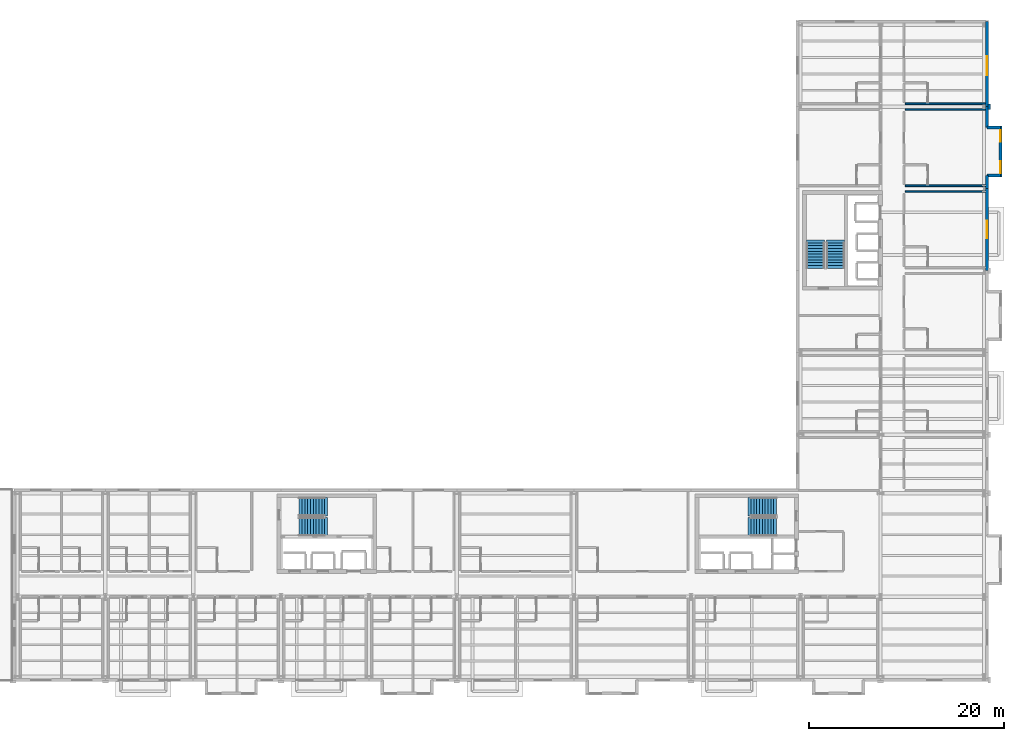
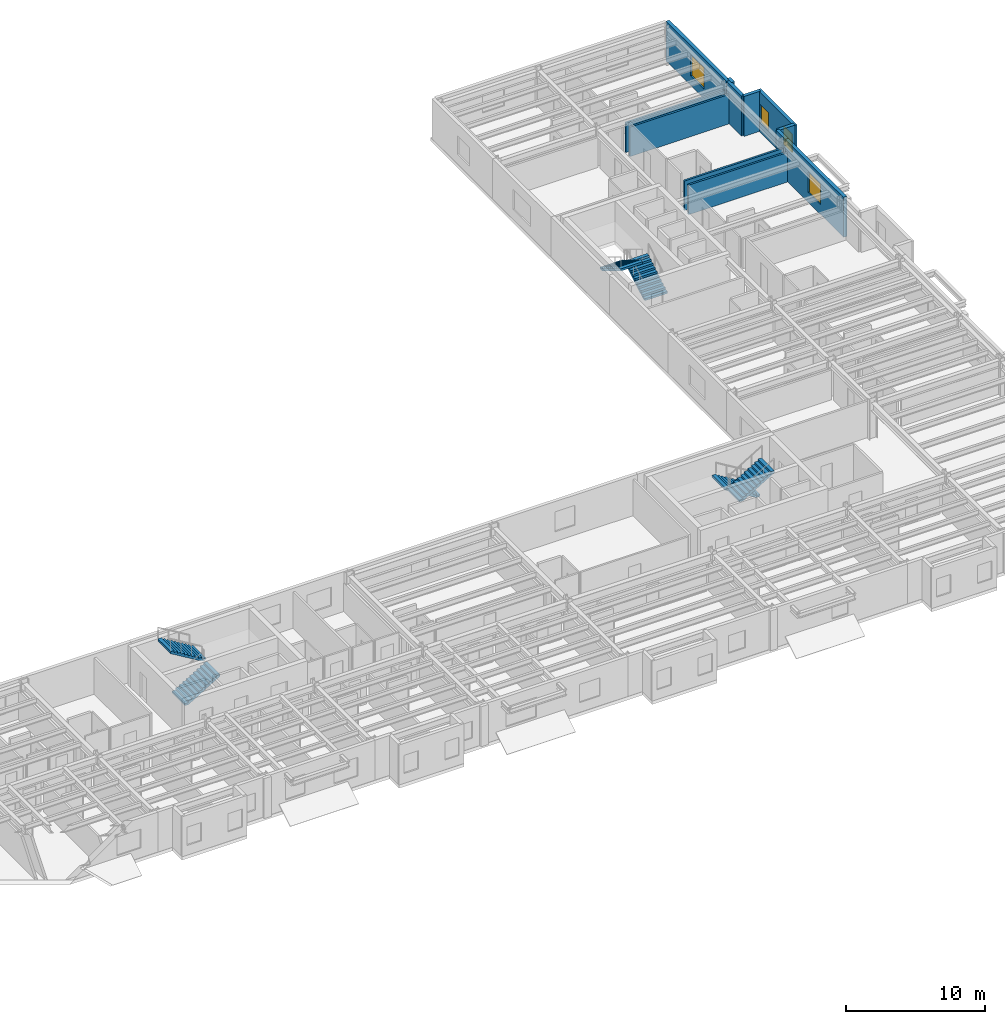
# One storey, part 18 of 23: 12 walls, 6 stair flights, 4 windows, 4 openings, 3 elements without a shape of their own.
"""IFC4 building model written with IfcOpenShell, lengths in metres."""

from ifc_helpers import new_model, si_unit, direction, frame, frame_2d, origin, place, context, subcontext, project, spatial, polyline, rectangle, outline, extrude, material, layer, layer_set, type_object, element, fill, aggregate, save


model = new_model("IFC4")

# Units and contexts
model_context = context("Model", 3, precision=1e-05, world=origin(), true_north=direction((0.0, 1.0)))
body_context = subcontext(model_context, "Body", "Model", "MODEL_VIEW")
ifc_project = project(units=[si_unit("LENGTHUNIT", "METRE"), si_unit("AREAUNIT", "SQUARE_METRE"), si_unit("VOLUMEUNIT", "CUBIC_METRE"), si_unit("PLANEANGLEUNIT", "RADIAN"), si_unit("MASSUNIT", "GRAM", prefix="KILO")], contexts=[model_context])

# Site, building, storey
site_placement = place(None, origin())
site = spatial("IfcSite", under=ifc_project, at=site_placement, CompositionType="ELEMENT")
building_placement = place(site_placement, origin())
building = spatial("IfcBuilding", under=site, at=building_placement, Name="Sollismere Congress Hotel", CompositionType="ELEMENT")
storey_placement = place(building_placement, frame((0.0, 0.0, 30.60009765625)))
storey = spatial("IfcBuildingStorey", under=building, at=storey_placement, Name="L07", CompositionType="ELEMENT", Elevation=30.60009765625)

# Wall, opening, window
ifc_material_1 = material(Name="Colorado Buff Sandstone Rainscreen on Insulated Backup", Category="masonry")
ifc_layer_1 = layer(ifc_material_1, 0.284912109375, Name="Colorado Buff Sandstone Rainscreen on Insulated Backup")
ifc_layer_set_1 = layer_set([ifc_layer_1], Name="Colorado Buff Sandstone Rainscreen on Insulated Backup")
wall_type_1 = type_object("IfcWallType", Name="WL-EXT285", PredefinedType="STANDARD", material=ifc_layer_set_1)
wall_1_placement = place(storey_placement, frame((166.31005859375, 41.60009765625, 0.0), z_axis=(0.0, 0.0, 1.0), x_axis=(0.0, 1.0, 0.0)))
wall_1 = element("IfcWall", 1, at=wall_1_placement, inside=storey, type_object=wall_type_1, Name="Exterior wall EW-L07-785", PredefinedType="STANDARD", context=body_context, shape_type="SweptSolid", body=[
    extrude(rectangle(XDim=8.39990234375, YDim=0.284912109375, at=frame_2d((4.199951171875, 0.0))), origin(), (0.0, 0.0, 1.0), 3.5),
])
opening_1_placement = place(wall_1_placement, frame((3.300048828125, 0.0, 0.85009765625)))
opening_1 = element("IfcOpeningElement", 2, at=opening_1_placement, cuts=wall_1, Name="Opening W-L07-569", PredefinedType="OPENING", context=body_context, shape_type="SweptSolid", body=[
    extrude(rectangle(XDim=1.800048828125, YDim=1.800048828125, at=frame_2d((0.89990234375, 0.89990234375))), frame((0.0, 0.15234375, 0.0), z_axis=(0.0, -1.0, 0.0), x_axis=(1.0, 0.0, 0.0)), (0.0, 0.0, 1.0), 0.304931640625),
])
ifc_material_2 = material(Name="Thermally Broken Bronze Aluminum & Low-E Glass", Category="aluminium")
window_type_1 = type_object("IfcWindowType", Name="WN-P180x180", PartitioningType="SINGLE_PANEL", PredefinedType="WINDOW", material=ifc_material_2)
window_1_placement = place(opening_1_placement, origin())
window_1 = element("IfcWindow", 3, at=window_1_placement, inside=storey, type_object=window_type_1, Name="WIN-W-L07-569", OverallHeight=1.800048828125, OverallWidth=1.800048828125, PartitioningType="SINGLE_PANEL", PredefinedType="WINDOW", context=body_context, shape_type="SweptSolid", body=[
    extrude(rectangle(XDim=1.800048828125, YDim=1.800048828125, at=frame_2d((0.89990234375, 0.89990234375))), frame((0.0, 0.030029296875, 0.0), z_axis=(0.0, -1.0, 0.0), x_axis=(1.0, 0.0, 0.0)), (0.0, 0.0, 1.0), 0.06005859375),
])
fill(opening_1, window_1)

# Walls
wall_2_placement = place(storey_placement, frame((166.31005859375, 50.0, 0.0), z_axis=(0.0, 0.0, 1.0), x_axis=(0.0, 1.0, 0.0)))
element("IfcWall", 4, at=wall_2_placement, inside=storey, type_object=wall_type_1, Name="Exterior wall EW-L07-787", PredefinedType="STANDARD", context=body_context, shape_type="SweptSolid", body=[
    extrude(rectangle(XDim=1.340087890625, YDim=0.284912109375, at=frame_2d((0.669921875, 0.0))), origin(), (0.0, 0.0, 1.0), 3.5),
])
wall_3_placement = place(storey_placement, frame((166.31005859375, 56.260009765625, 0.0), z_axis=(0.0, 0.0, 1.0), x_axis=(0.0, 1.0, 0.0)))
element("IfcWall", 5, at=wall_3_placement, inside=storey, type_object=wall_type_1, Name="Exterior wall EW-L07-788", PredefinedType="STANDARD", context=body_context, shape_type="SweptSolid", body=[
    extrude(rectangle(XDim=2.139892578125, YDim=0.284912109375, at=frame_2d((1.06982421875, 0.0))), origin(), (0.0, 0.0, 1.0), 3.5),
])

# Wall, openings, windows
wall_4_placement = place(storey_placement, frame((167.699951171875, 51.199951171875, 0.0), z_axis=(0.0, 0.0, 1.0), x_axis=(0.0, 1.0, 0.0)))
wall_4 = element("IfcWall", 6, at=wall_4_placement, inside=storey, type_object=wall_type_1, Name="Exterior wall EW-L07-789", PredefinedType="STANDARD", context=body_context, shape_type="SweptSolid", body=[
    extrude(rectangle(XDim=5.199951171875, YDim=0.284912109375, at=frame_2d((2.60009765625, 0.0))), origin(), (0.0, 0.0, 1.0), 3.5),
])
opening_2_placement = place(wall_4_placement, frame((0.39990234375, 0.0, 0.85009765625)))
opening_2 = element("IfcOpeningElement", 7, at=opening_2_placement, cuts=wall_4, Name="Opening W-L07-570", PredefinedType="OPENING", context=body_context, shape_type="SweptSolid", body=[
    extrude(rectangle(XDim=1.199951171875, YDim=1.60009765625, at=frame_2d((0.60009765625, 0.800048828125))), frame((0.0, 0.15234375, 0.0), z_axis=(0.0, -1.0, 0.0), x_axis=(1.0, 0.0, 0.0)), (0.0, 0.0, 1.0), 0.304931640625),
])
opening_3_placement = place(wall_4_placement, frame((3.60009765625, 0.0, 0.85009765625)))
opening_3 = element("IfcOpeningElement", 8, at=opening_3_placement, cuts=wall_4, Name="Opening W-L07-571", PredefinedType="OPENING", context=body_context, shape_type="SweptSolid", body=[
    extrude(rectangle(XDim=1.199951171875, YDim=1.60009765625, at=frame_2d((0.60009765625, 0.800048828125))), frame((0.0, 0.15234375, 0.0), z_axis=(0.0, -1.0, 0.0), x_axis=(1.0, 0.0, 0.0)), (0.0, 0.0, 1.0), 0.304931640625),
])
window_type_2 = type_object("IfcWindowType", Name="WN-P120x160", PartitioningType="SINGLE_PANEL", PredefinedType="WINDOW", material=ifc_material_2)
window_2_placement = place(opening_2_placement, origin())
window_2 = element("IfcWindow", 9, at=window_2_placement, inside=storey, type_object=window_type_2, Name="WIN-W-L07-570", OverallHeight=1.60009765625, OverallWidth=1.199951171875, PartitioningType="SINGLE_PANEL", PredefinedType="WINDOW", context=body_context, shape_type="SweptSolid", body=[
    extrude(rectangle(XDim=1.199951171875, YDim=1.60009765625, at=frame_2d((0.60009765625, 0.800048828125))), frame((0.0, 0.030029296875, 0.0), z_axis=(0.0, -1.0, 0.0), x_axis=(1.0, 0.0, 0.0)), (0.0, 0.0, 1.0), 0.06005859375),
])
fill(opening_2, window_2)
window_3_placement = place(opening_3_placement, origin())
window_3 = element("IfcWindow", 10, at=window_3_placement, inside=storey, type_object=window_type_2, Name="WIN-W-L07-571", OverallHeight=1.60009765625, OverallWidth=1.199951171875, PartitioningType="SINGLE_PANEL", PredefinedType="WINDOW", context=body_context, shape_type="SweptSolid", body=[
    extrude(rectangle(XDim=1.199951171875, YDim=1.60009765625, at=frame_2d((0.60009765625, 0.800048828125))), frame((0.0, 0.030029296875, 0.0), z_axis=(0.0, -1.0, 0.0), x_axis=(1.0, 0.0, 0.0)), (0.0, 0.0, 1.0), 0.06005859375),
])
fill(opening_3, window_3)

# Walls
for number, where, z_axis, x_axis, name in (
    (11, (166.31005859375, 51.340087890625, 0.0), (0.0, 0.0, 1.0), (1.0, 0.0, 0.0), "Exterior wall EW-L07-790"),
    (12, (167.699951171875, 56.260009765625, 0.0), (0.0, 0.0, 1.0), (-1.0, 0.0, 0.0), "Exterior wall EW-L07-791"),
):
    element("IfcWall", number, at=place(storey_placement, frame(where, z_axis=z_axis, x_axis=x_axis)), inside=storey, type_object=wall_type_1, Name=name, PredefinedType="STANDARD", context=body_context, shape_type="SweptSolid", body=[
        extrude(rectangle(XDim=1.389892578125, YDim=0.284912109375, at=frame_2d((0.69482421875, 0.0))), origin(), (0.0, 0.0, 1.0), 3.5),
    ])

# Wall, opening, window
wall_5_placement = place(storey_placement, frame((166.31005859375, 58.39990234375, 0.0), z_axis=(0.0, 0.0, 1.0), x_axis=(0.0, 1.0, 0.0)))
wall_5 = element("IfcWall", 13, at=wall_5_placement, inside=storey, type_object=wall_type_1, Name="Exterior wall EW-L07-792", PredefinedType="STANDARD", context=body_context, shape_type="SweptSolid", body=[
    extrude(rectangle(XDim=8.710205078125, YDim=0.284912109375, at=frame_2d((4.35498046875, 0.0))), origin(), (0.0, 0.0, 1.0), 3.5),
])
opening_4_placement = place(wall_5_placement, frame((3.22509765625, 0.0, 0.85009765625)))
opening_4 = element("IfcOpeningElement", 14, at=opening_4_placement, cuts=wall_5, Name="Opening W-L07-572", PredefinedType="OPENING", context=body_context, shape_type="SweptSolid", body=[
    extrude(rectangle(XDim=1.949951171875, YDim=1.85009765625, at=frame_2d((0.97509765625, 0.925048828125))), frame((0.0, 0.15234375, 0.0), z_axis=(0.0, -1.0, 0.0), x_axis=(1.0, 0.0, 0.0)), (0.0, 0.0, 1.0), 0.304931640625),
])
window_type_3 = type_object("IfcWindowType", Name="WN-P195x185", PartitioningType="SINGLE_PANEL", PredefinedType="WINDOW", material=ifc_material_2)
window_4_placement = place(opening_4_placement, origin())
window_4 = element("IfcWindow", 15, at=window_4_placement, inside=storey, type_object=window_type_3, Name="WIN-W-L07-572", OverallHeight=1.85009765625, OverallWidth=1.949951171875, PartitioningType="SINGLE_PANEL", PredefinedType="WINDOW", context=body_context, shape_type="SweptSolid", body=[
    extrude(rectangle(XDim=1.949951171875, YDim=1.85009765625, at=frame_2d((0.97509765625, 0.925048828125))), frame((0.0, 0.030029296875, 0.0), z_axis=(0.0, -1.0, 0.0), x_axis=(1.0, 0.0, 0.0)), (0.0, 0.0, 1.0), 0.06005859375),
])
fill(opening_4, window_4)

# Walls
ifc_material_3 = material(Name="Carved Travertine Pilaster & Frieze Assembly", Category="masonry")
ifc_layer_2 = layer(ifc_material_3, 0.260009765625, Name="Carved Travertine Pilaster & Frieze Assembly")
ifc_layer_set_2 = layer_set([ifc_layer_2], Name="Carved Travertine Pilaster & Frieze Assembly")
wall_type_2 = type_object("IfcWallType", Name="WL-PIL280", PredefinedType="ELEMENTEDWALL", material=ifc_layer_set_2)
wall_6_placement = place(storey_placement, frame((166.52001953125, 58.10009765625, 0.0), z_axis=(0.0, 0.0, 1.0), x_axis=(0.0, 1.0, 0.0)))
element("IfcWall", 16, at=wall_6_placement, inside=storey, type_object=wall_type_2, Name="Exterior wall EW-L07-793", PredefinedType="ELEMENTEDWALL", context=body_context, shape_type="SweptSolid", body=[
    extrude(rectangle(XDim=0.599853515625, YDim=0.260009765625, at=frame_2d((0.2998046875, 0.0))), origin(), (0.0, 0.0, 1.0), 3.5),
])
ifc_material_4 = material(Name="Fire-Rated Acoustic Gypsum Partition")
ifc_layer_3 = layer(ifc_material_4, 0.1650390625, Name="Fire-Rated Acoustic Gypsum Partition")
ifc_layer_set_3 = layer_set([ifc_layer_3], Name="Fire-Rated Acoustic Gypsum Partition")
wall_type_3 = type_object("IfcWallType", Name="WL-PRT165R", PredefinedType="PARTITIONING", material=ifc_layer_set_3)
for number, where, z_axis, x_axis, name in (
    (17, (157.93994140625, 49.699951171875, 0.0), (0.0, 0.0, 1.0), (1.0, 0.0, 0.0), "Interior wall IW-L07-2354"),
    (18, (157.93994140625, 50.300048828125, 0.0), (0.0, 0.0, 1.0), (1.0, 0.0, 0.0), "Interior wall IW-L07-2359"),
    (19, (157.93994140625, 58.10009765625, 0.0), (0.0, 0.0, 1.0), (1.0, 0.0, 0.0), "Interior wall IW-L07-2360"),
    (20, (157.93994140625, 58.699951171875, 0.0), (0.0, 0.0, 1.0), (1.0, 0.0, 0.0), "Interior wall IW-L07-2371"),
):
    element("IfcWall", number, at=place(storey_placement, frame(where, z_axis=z_axis, x_axis=x_axis)), inside=storey, type_object=wall_type_3, Name=name, PredefinedType="PARTITIONING", context=body_context, shape_type="SweptSolid", body=[
        extrude(rectangle(XDim=8.212646484375, YDim=0.1650390625, at=frame_2d((4.1064453125, 0.0))), origin(), (0.0, 0.0, 1.0), 2.58984375),
    ])

# Stair, stair flights
ifc_material_5 = material(Name="Concrete C40/50", Category="concrete")
stair_type = type_object("IfcStairType", Name="STR-DL-350", PredefinedType="HALF_TURN_STAIR", material=ifc_material_5)
stair_1_placement = place(storey_placement, origin())
stair_1 = element("IfcStair", 21, at=stair_1_placement, inside=storey, type_object=stair_type, Name="Protected exit stair ST-01-L07", PredefinedType="HALF_TURN_STAIR")
stair_flight_type = type_object("IfcStairFlightType", Name="STF-DL-350", PredefinedType="STRAIGHT", material=ifc_material_5)
stair_flight_1_placement = place(storey_placement, frame((144.75, 17.425048828125, 0.0), z_axis=(0.0, 0.0, 1.0), x_axis=(-1.0, 0.0, 0.0)))
stair_flight_1 = element("IfcStairFlight", 22, at=stair_flight_1_placement, type_object=stair_flight_type, Name="Exit stair flight ST-01-L07-F1", NumberOfRisers=10, NumberOfTreads=10, PredefinedType="STRAIGHT", RiserHeight=0.175048828125, TreadLength=0.2900390625, context=body_context, shape_type="SweptSolid", body=[
    extrude(outline(polyline([(0.0, 0.0), (0.0, 0.175048828125), (0.2900390625, 0.175048828125), (0.2900390625, 0.35009765625), (0.580078125, 0.35009765625), (0.580078125, 0.525146484375), (0.8701171875, 0.525146484375), (0.8701171875, 0.7001953125), (1.16015625, 0.7001953125), (1.16015625, 0.875244140625), (1.4501953125, 0.875244140625), (1.4501953125, 1.05029296875), (1.740234375, 1.05029296875), (1.740234375, 1.225341796875), (2.0302734375, 1.225341796875), (2.0302734375, 1.400390625), (2.3203125, 1.400390625), (2.3203125, 1.575439453125), (2.6103515625, 1.575439453125), (2.6103515625, 1.75048828125), (2.900390625, 1.75048828125), (2.900390625, 1.563720703125), (0.3095703125, 0.0), (0.0, 0.0)])), frame((0.0, 0.925048828125, 0.0), z_axis=(0.0, -1.0, 0.0), x_axis=(1.0, 0.0, 0.0)), (0.0, 0.0, 1.0), 1.85009765625),
])
stair_flight_2_placement = place(storey_placement, frame((141.85009765625, 15.375, 1.75), z_axis=(0.0, 0.0, 1.0), x_axis=(1.0, 0.0, 0.0)))
stair_flight_2 = element("IfcStairFlight", 23, at=stair_flight_2_placement, type_object=stair_flight_type, Name="Exit stair flight ST-01-L07-F2", NumberOfRisers=10, NumberOfTreads=10, PredefinedType="STRAIGHT", RiserHeight=0.175048828125, TreadLength=0.2900390625, context=body_context, shape_type="SweptSolid", body=[
    extrude(outline(polyline([(0.0, 0.0), (0.0, 0.175048828125), (0.2900390625, 0.175048828125), (0.2900390625, 0.35009765625), (0.580078125, 0.35009765625), (0.580078125, 0.525146484375), (0.8701171875, 0.525146484375), (0.8701171875, 0.7001953125), (1.16015625, 0.7001953125), (1.16015625, 0.875244140625), (1.4501953125, 0.875244140625), (1.4501953125, 1.05029296875), (1.740234375, 1.05029296875), (1.740234375, 1.225341796875), (2.0302734375, 1.225341796875), (2.0302734375, 1.400390625), (2.3203125, 1.400390625), (2.3203125, 1.575439453125), (2.6103515625, 1.575439453125), (2.6103515625, 1.75048828125), (2.900390625, 1.75048828125), (2.900390625, 1.563720703125), (0.3095703125, 0.0), (0.0, 0.0)])), frame((0.0, 0.925048828125, 0.0), z_axis=(0.0, -1.0, 0.0), x_axis=(1.0, 0.0, 0.0)), (0.0, 0.0, 1.0), 1.85009765625),
])
aggregate(stair_1, [stair_flight_1, stair_flight_2])

stair_2_placement = place(storey_placement, origin())
stair_2 = element("IfcStair", 24, at=stair_2_placement, inside=storey, type_object=stair_type, Name="Protected exit stair ST-02-L07", PredefinedType="HALF_TURN_STAIR")
stair_flight_3_placement = place(storey_placement, frame((95.85009765625, 15.375, 0.0), z_axis=(0.0, 0.0, 1.0), x_axis=(1.0, 0.0, 0.0)))
stair_flight_3 = element("IfcStairFlight", 25, at=stair_flight_3_placement, type_object=stair_flight_type, Name="Exit stair flight ST-02-L07-F1", NumberOfRisers=10, NumberOfTreads=10, PredefinedType="STRAIGHT", RiserHeight=0.175048828125, TreadLength=0.2900390625, context=body_context, shape_type="SweptSolid", body=[
    extrude(outline(polyline([(0.0, 0.0), (0.0, 0.175048828125), (0.2900390625, 0.175048828125), (0.2900390625, 0.35009765625), (0.580078125, 0.35009765625), (0.580078125, 0.525146484375), (0.8701171875, 0.525146484375), (0.8701171875, 0.7001953125), (1.16015625, 0.7001953125), (1.16015625, 0.875244140625), (1.4501953125, 0.875244140625), (1.4501953125, 1.05029296875), (1.740234375, 1.05029296875), (1.740234375, 1.225341796875), (2.0302734375, 1.225341796875), (2.0302734375, 1.400390625), (2.3203125, 1.400390625), (2.3203125, 1.575439453125), (2.6103515625, 1.575439453125), (2.6103515625, 1.75048828125), (2.900390625, 1.75048828125), (2.900390625, 1.563720703125), (0.3095703125, 0.0), (0.0, 0.0)])), frame((0.0, 0.925048828125, 0.0), z_axis=(0.0, -1.0, 0.0), x_axis=(1.0, 0.0, 0.0)), (0.0, 0.0, 1.0), 1.85009765625),
])
stair_flight_4_placement = place(storey_placement, frame((98.75, 17.425048828125, 1.75), z_axis=(0.0, 0.0, 1.0), x_axis=(-1.0, 0.0, 0.0)))
stair_flight_4 = element("IfcStairFlight", 26, at=stair_flight_4_placement, type_object=stair_flight_type, Name="Exit stair flight ST-02-L07-F2", NumberOfRisers=10, NumberOfTreads=10, PredefinedType="STRAIGHT", RiserHeight=0.175048828125, TreadLength=0.2900390625, context=body_context, shape_type="SweptSolid", body=[
    extrude(outline(polyline([(0.0, 0.0), (0.0, 0.175048828125), (0.2900390625, 0.175048828125), (0.2900390625, 0.35009765625), (0.580078125, 0.35009765625), (0.580078125, 0.525146484375), (0.8701171875, 0.525146484375), (0.8701171875, 0.7001953125), (1.16015625, 0.7001953125), (1.16015625, 0.875244140625), (1.4501953125, 0.875244140625), (1.4501953125, 1.05029296875), (1.740234375, 1.05029296875), (1.740234375, 1.225341796875), (2.0302734375, 1.225341796875), (2.0302734375, 1.400390625), (2.3203125, 1.400390625), (2.3203125, 1.575439453125), (2.6103515625, 1.575439453125), (2.6103515625, 1.75048828125), (2.900390625, 1.75048828125), (2.900390625, 1.563720703125), (0.3095703125, 0.0), (0.0, 0.0)])), frame((0.0, 0.925048828125, 0.0), z_axis=(0.0, -1.0, 0.0), x_axis=(1.0, 0.0, 0.0)), (0.0, 0.0, 1.0), 1.85009765625),
])
aggregate(stair_2, [stair_flight_3, stair_flight_4])

stair_3_placement = place(storey_placement, origin())
stair_3 = element("IfcStair", 27, at=stair_3_placement, inside=storey, type_object=stair_type, Name="Protected exit stair ST-03-L07", PredefinedType="HALF_TURN_STAIR")
stair_flight_5_placement = place(storey_placement, frame((150.77490234375, 41.85009765625, 0.0), z_axis=(0.0, 0.0, 1.0), x_axis=(0.0, 1.0, 0.0)))
stair_flight_5 = element("IfcStairFlight", 28, at=stair_flight_5_placement, type_object=stair_flight_type, Name="Exit stair flight ST-03-L07-F1", NumberOfRisers=10, NumberOfTreads=10, PredefinedType="STRAIGHT", RiserHeight=0.175048828125, TreadLength=0.2900390625, context=body_context, shape_type="SweptSolid", body=[
    extrude(outline(polyline([(0.0, 0.0), (0.0, 0.175048828125), (0.2900390625, 0.175048828125), (0.2900390625, 0.35009765625), (0.580078125, 0.35009765625), (0.580078125, 0.525146484375), (0.8701171875, 0.525146484375), (0.8701171875, 0.7001953125), (1.16015625, 0.7001953125), (1.16015625, 0.875244140625), (1.4501953125, 0.875244140625), (1.4501953125, 1.05029296875), (1.740234375, 1.05029296875), (1.740234375, 1.225341796875), (2.0302734375, 1.225341796875), (2.0302734375, 1.400390625), (2.3203125, 1.400390625), (2.3203125, 1.575439453125), (2.6103515625, 1.575439453125), (2.6103515625, 1.75048828125), (2.900390625, 1.75048828125), (2.900390625, 1.563720703125), (0.3095703125, 0.0), (0.0, 0.0)])), frame((0.0, 0.925048828125, 0.0), z_axis=(0.0, -1.0, 0.0), x_axis=(1.0, 0.0, 0.0)), (0.0, 0.0, 1.0), 1.85009765625),
])
stair_flight_6_placement = place(storey_placement, frame((148.72509765625, 44.75, 1.75), z_axis=(0.0, 0.0, 1.0), x_axis=(0.0, -1.0, 0.0)))
stair_flight_6 = element("IfcStairFlight", 29, at=stair_flight_6_placement, type_object=stair_flight_type, Name="Exit stair flight ST-03-L07-F2", NumberOfRisers=10, NumberOfTreads=10, PredefinedType="STRAIGHT", RiserHeight=0.175048828125, TreadLength=0.2900390625, context=body_context, shape_type="SweptSolid", body=[
    extrude(outline(polyline([(0.0, 0.0), (0.0, 0.175048828125), (0.2900390625, 0.175048828125), (0.2900390625, 0.35009765625), (0.580078125, 0.35009765625), (0.580078125, 0.525146484375), (0.8701171875, 0.525146484375), (0.8701171875, 0.7001953125), (1.16015625, 0.7001953125), (1.16015625, 0.875244140625), (1.4501953125, 0.875244140625), (1.4501953125, 1.05029296875), (1.740234375, 1.05029296875), (1.740234375, 1.225341796875), (2.0302734375, 1.225341796875), (2.0302734375, 1.400390625), (2.3203125, 1.400390625), (2.3203125, 1.575439453125), (2.6103515625, 1.575439453125), (2.6103515625, 1.75048828125), (2.900390625, 1.75048828125), (2.900390625, 1.563720703125), (0.3095703125, 0.0), (0.0, 0.0)])), frame((0.0, 0.925048828125, 0.0), z_axis=(0.0, -1.0, 0.0), x_axis=(1.0, 0.0, 0.0)), (0.0, 0.0, 1.0), 1.85009765625),
])
aggregate(stair_3, [stair_flight_5, stair_flight_6])

save(model, "model.ifc")
